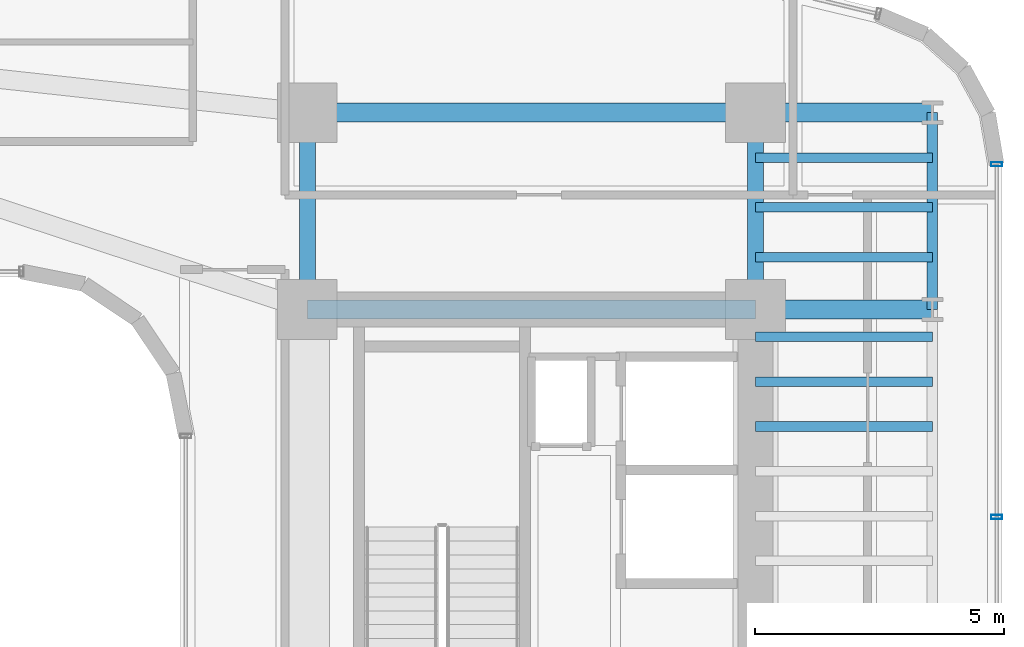
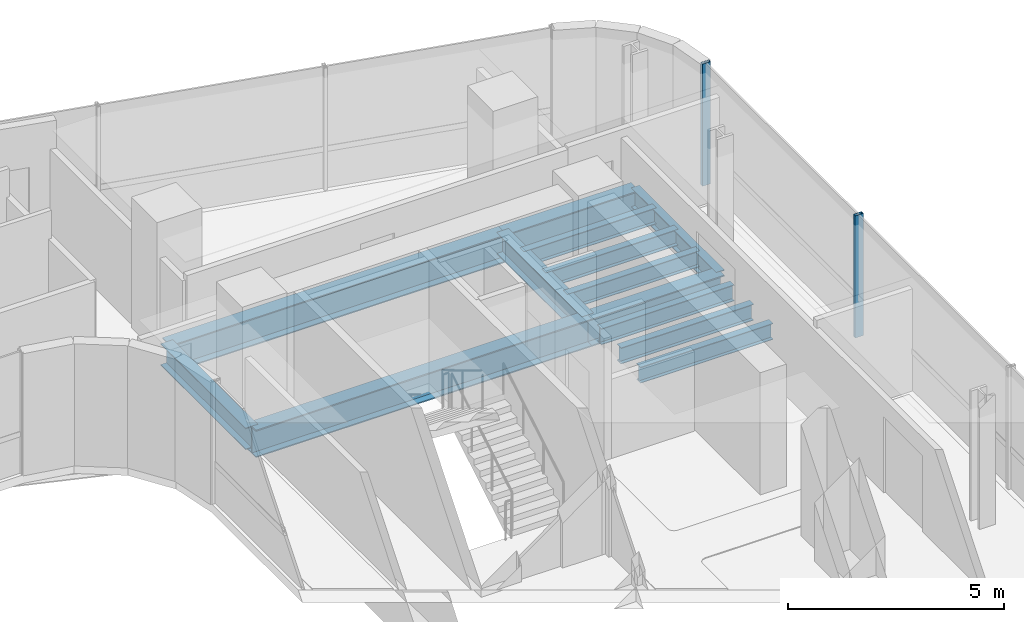
# One storey, part 19 of 38: 13 beams, 2 members, 1 element without a shape of its own.
"""IFC4 building model written with IfcOpenShell, lengths in metres."""

from ifc_helpers import new_model, si_unit, direction, frame, origin, origin_2d, place, context, subcontext, project, spatial, hollow_rectangle, i_section, extrude, source, transform, mapped, material, material_profile, profile_set, type_object, element, aggregate, save


model = new_model("IFC4")

# Units and contexts
model_context = context("Model", 3, precision=1e-05, world=origin(), true_north=direction((0.0, 1.0)))
body_context = subcontext(model_context, "Body", "Model", "MODEL_VIEW")
ifc_project = project(units=[si_unit("LENGTHUNIT", "METRE"), si_unit("AREAUNIT", "SQUARE_METRE"), si_unit("VOLUMEUNIT", "CUBIC_METRE"), si_unit("PLANEANGLEUNIT", "RADIAN"), si_unit("MASSUNIT", "GRAM", prefix="KILO")], contexts=[model_context])

# Site, building, storey
site_placement = place(None, origin())
site = spatial("IfcSite", under=ifc_project, at=site_placement, CompositionType="ELEMENT")
building_placement = place(site_placement, origin())
building = spatial("IfcBuilding", under=site, at=building_placement, Name="Valdorenza Pilgrim Sanctuary Tower", CompositionType="ELEMENT")
storey_placement = place(building_placement, frame((0.0, 0.0, 131.60009765625)))
storey = spatial("IfcBuildingStorey", under=building, at=storey_placement, Name="L33", CompositionType="ELEMENT", Elevation=131.60009765625)

# Beams
ifc_material_1 = material(Name="Steel ASTM A992 Grade 50", Category="steel")
ifc_material_profile_1 = material_profile(ifc_material_1, i_section(OverallWidth=0.323974609375, OverallDepth=0.611083984375, WebThickness=0.0126953125, FlangeThickness=0.01904296875, at=origin_2d()), Name="W24X104")
ifc_profile_set_1 = profile_set([ifc_material_profile_1], Name="Steel ASTM A992 Grade 50")
beam_type_1 = type_object("IfcBeamType", Name="STR-BM-GRD-W24B", PredefinedType="BEAM", material=ifc_profile_set_1)
shared_shape_1 = source(origin(), body_context, "Body", "SweptSolid", [
    extrude(i_section(OverallWidth=0.323974609375, OverallDepth=0.611083984375, WebThickness=0.0126953125, FlangeThickness=0.01904296875, at=origin_2d()), origin(), (0.0, 0.0, 1.0), 3.949951171875),
])
for number, where, z_axis, x_axis, name in (
    (1, (15.85009765625, 9.550048828125, -0.545654296875), (0.0, 1.0, 0.0), (-1.0, 0.0, 0.0), "L33 Core Tie Girder CB-W-N1N2"),
    (2, (24.85009765625, 9.550048828125, -0.545654296875), (0.0, 1.0, 0.0), (-1.0, 0.0, 0.0), "L33 Core Tie Girder CB-E-N1N2"),
):
    element("IfcBeam", number, at=place(storey_placement, frame(where, z_axis=z_axis, x_axis=x_axis)), inside=storey, type_object=beam_type_1, Name=name, PredefinedType="BEAM", context=body_context, shape_type="MappedRepresentation", body=[
        mapped(shared_shape_1, transform((0.0, 0.0, 0.0), x_axis=(1.0, 0.0, 0.0), y_axis=(0.0, 1.0, 0.0), z_axis=(0.0, 0.0, 1.0), scale=1.0)),
    ])
ifc_material_profile_2 = material_profile(ifc_material_1, i_section(OverallWidth=0.214111328125, OverallDepth=0.549072265625, WebThickness=0.0146484375, FlangeThickness=0.023681640625, at=origin_2d()), Name="W21X93")
ifc_profile_set_2 = profile_set([ifc_material_profile_2], Name="Steel ASTM A992 Grade 50")
beam_type_2 = type_object("IfcBeamType", Name="STR-BM-SPN-W21A", PredefinedType="SPANDREL", material=ifc_profile_set_2)
shared_shape_2 = source(origin(), body_context, "Body", "SweptSolid", [
    extrude(i_section(OverallWidth=0.214111328125, OverallDepth=0.549072265625, WebThickness=0.0146484375, FlangeThickness=0.023681640625, at=origin_2d()), origin(), (0.0, 0.0, 1.0), 3.949951171875),
])
beam_placement = place(storey_placement, frame((28.39990234375, 9.550048828125, -0.5146484375), z_axis=(0.0, 1.0, 0.0), x_axis=(-1.0, 0.0, 0.0)))
element("IfcBeam", 3, at=beam_placement, inside=storey, type_object=beam_type_2, Name="L33 Spandrel Beam WB-E-N1N2", PredefinedType="SPANDREL", context=body_context, shape_type="MappedRepresentation", body=[
    mapped(shared_shape_2, transform((0.0, 0.0, 0.0), x_axis=(1.0, 0.0, 0.0), y_axis=(0.0, 1.0, 0.0), z_axis=(0.0, 0.0, 1.0), scale=1.0)),
])
ifc_material_profile_3 = material_profile(ifc_material_1, i_section(OverallWidth=0.382080078125, OverallDepth=0.779052734375, WebThickness=0.01806640625, FlangeThickness=0.030029296875, at=origin_2d()), Name="W30X191")
ifc_profile_set_3 = profile_set([ifc_material_profile_3], Name="Steel ASTM A992 Grade 50")
beam_type_3 = type_object("IfcBeamType", Name="STR-BM-GRD-W30", PredefinedType="BEAM", material=ifc_profile_set_3)
shared_shape_3 = source(origin(), body_context, "Body", "SweptSolid", [
    extrude(i_section(OverallWidth=0.382080078125, OverallDepth=0.779052734375, WebThickness=0.01806640625, FlangeThickness=0.030029296875, at=origin_2d()), origin(), (0.0, 0.0, 1.0), 9.0),
])
for number, where, z_axis, x_axis, name in (
    (4, (15.85009765625, 9.550048828125, -0.629638671875), (1.0, 0.0, 0.0), (0.0, 1.0, 0.0), "L33 Floor Girder CB-XC-N1"),
    (5, (15.85009765625, 13.5, -0.629638671875), (1.0, 0.0, 0.0), (0.0, 1.0, 0.0), "L33 Floor Girder CB-XC-N2"),
):
    element("IfcBeam", number, at=place(storey_placement, frame(where, z_axis=z_axis, x_axis=x_axis)), inside=storey, type_object=beam_type_3, Name=name, PredefinedType="BEAM", context=body_context, shape_type="MappedRepresentation", body=[
        mapped(shared_shape_3, transform((0.0, 0.0, 0.0), x_axis=(1.0, 0.0, 0.0), y_axis=(0.0, 1.0, 0.0), z_axis=(0.0, 0.0, 1.0), scale=1.0)),
    ])
shared_shape_4 = source(origin(), body_context, "Body", "SweptSolid", [
    extrude(i_section(OverallWidth=0.382080078125, OverallDepth=0.779052734375, WebThickness=0.01806640625, FlangeThickness=0.030029296875, at=origin_2d()), origin(), (0.0, 0.0, 1.0), 3.5498046875),
])
for number, where, z_axis, x_axis, name in (
    (6, (24.85009765625, 9.550048828125, -0.629638671875), (1.0, 0.0, 0.0), (0.0, 1.0, 0.0), "L33 Floor Girder WB-XE-N1"),
    (7, (24.85009765625, 13.5, -0.629638671875), (1.0, 0.0, 0.0), (0.0, 1.0, 0.0), "L33 Floor Girder WB-XE-N2"),
):
    element("IfcBeam", number, at=place(storey_placement, frame(where, z_axis=z_axis, x_axis=x_axis)), inside=storey, type_object=beam_type_3, Name=name, PredefinedType="BEAM", context=body_context, shape_type="MappedRepresentation", body=[
        mapped(shared_shape_4, transform((0.0, 0.0, 0.0), x_axis=(1.0, 0.0, 0.0), y_axis=(0.0, 1.0, 0.0), z_axis=(0.0, 0.0, 1.0), scale=1.0)),
    ])
ifc_material_profile_4 = material_profile(ifc_material_1, i_section(OverallWidth=0.19091796875, OverallDepth=0.45703125, WebThickness=0.009033203125, FlangeThickness=0.014404296875, at=origin_2d()), Name="W18X50")
ifc_profile_set_4 = profile_set([ifc_material_profile_4], Name="Steel ASTM A992 Grade 50")
beam_type_4 = type_object("IfcBeamType", Name="STR-BM-JST-W18B", PredefinedType="JOIST", material=ifc_profile_set_4)
shared_shape_5 = source(origin(), body_context, "Body", "SweptSolid", [
    extrude(i_section(OverallWidth=0.19091796875, OverallDepth=0.45703125, WebThickness=0.009033203125, FlangeThickness=0.014404296875, at=origin_2d()), origin(), (0.0, 0.0, 1.0), 3.5498046875),
])
for number, where, z_axis, x_axis, name in (
    (8, (24.85009765625, 7.199951171875, -0.468505859375), (1.0, 0.0, 0.0), (0.0, 1.0, 0.0), "L33 Composite Floor Joist JST-WB-16"),
    (9, (24.85009765625, 8.10009765625, -0.468505859375), (1.0, 0.0, 0.0), (0.0, 1.0, 0.0), "L33 Composite Floor Joist JST-WB-17"),
    (10, (24.85009765625, 9.0, -0.468505859375), (1.0, 0.0, 0.0), (0.0, 1.0, 0.0), "L33 Composite Floor Joist JST-WB-18"),
    (11, (24.85009765625, 10.60009765625, -0.468505859375), (1.0, 0.0, 0.0), (0.0, 1.0, 0.0), "L33 Composite Floor Joist JST-WB-19"),
    (12, (24.85009765625, 11.60009765625, -0.468505859375), (1.0, 0.0, 0.0), (0.0, 1.0, 0.0), "L33 Composite Floor Joist JST-WB-20"),
    (13, (24.85009765625, 12.60009765625, -0.468505859375), (1.0, 0.0, 0.0), (0.0, 1.0, 0.0), "L33 Composite Floor Joist JST-WB-21"),
):
    element("IfcBeam", number, at=place(storey_placement, frame(where, z_axis=z_axis, x_axis=x_axis)), inside=storey, type_object=beam_type_4, Name=name, PredefinedType="JOIST", context=body_context, shape_type="MappedRepresentation", body=[
        mapped(shared_shape_5, transform((0.0, 0.0, 0.0), x_axis=(1.0, 0.0, 0.0), y_axis=(0.0, 1.0, 0.0), z_axis=(0.0, 0.0, 1.0), scale=1.0)),
    ])

# Curtain wall, members
ifc_material_2 = material(Name="Curtain-wall IGU glazing", Category="glass")
curtain_wall_type = type_object("IfcCurtainWallType", Name="CW-SYS-03", PredefinedType="NOTDEFINED", material=ifc_material_2)
curtain_wall_placement = place(storey_placement, origin())
curtain_wall = element("IfcCurtainWall", 14, at=curtain_wall_placement, inside=storey, type_object=curtain_wall_type, Name="L33 Curtain Wall CW-L33-1-21", PredefinedType="NOTDEFINED")
ifc_material_3 = material(Name="Anodised aluminium AW-6060", Category="aluminium")
ifc_material_profile_5 = material_profile(ifc_material_3, hollow_rectangle(XDim=0.0849609375, YDim=0.219970703125, WallThickness=0.0048828125, at=origin_2d()), Name="ALU-M 220x85x5")
ifc_profile_set_5 = profile_set([ifc_material_profile_5], Name="Anodised aluminium AW-6060")
member_type = type_object("IfcMemberType", Name="CW-MUL-03", PredefinedType="MULLION", material=ifc_profile_set_5)
shared_shape_6 = source(origin(), body_context, "Body", "SweptSolid", [
    extrude(hollow_rectangle(XDim=0.0849609375, YDim=0.219970703125, WallThickness=0.0048828125, at=origin_2d()), origin(), (0.0, 0.0, 1.0), 3.4599609375),
])
member_1_placement = place(storey_placement, frame((29.68994140625, 12.46630859375, 0.0), z_axis=(0.0, 0.0, 1.0), x_axis=(0.0, -1.0, 0.0)))
member_1 = element("IfcMember", 15, at=member_1_placement, type_object=member_type, Name="CW-L33-1-21 Mullion 1", PredefinedType="MULLION", context=body_context, shape_type="MappedRepresentation", body=[
    mapped(shared_shape_6, transform((0.0, 0.0, 0.0), x_axis=(1.0, 0.0, 0.0), y_axis=(0.0, 1.0, 0.0), z_axis=(0.0, 0.0, 1.0), scale=1.0)),
])
member_2_placement = place(storey_placement, frame((29.68994140625, 5.381103515625, 0.0), z_axis=(0.0, 0.0, 1.0), x_axis=(0.0, -1.0, 0.0)))
member_2 = element("IfcMember", 16, at=member_2_placement, type_object=member_type, Name="CW-L33-1-21 Mullion 2", PredefinedType="MULLION", context=body_context, shape_type="MappedRepresentation", body=[
    mapped(shared_shape_6, transform((0.0, 0.0, 0.0), x_axis=(1.0, 0.0, 0.0), y_axis=(0.0, 1.0, 0.0), z_axis=(0.0, 0.0, 1.0), scale=1.0)),
])
aggregate(curtain_wall, [member_1, member_2])

save(model, "model.ifc")
